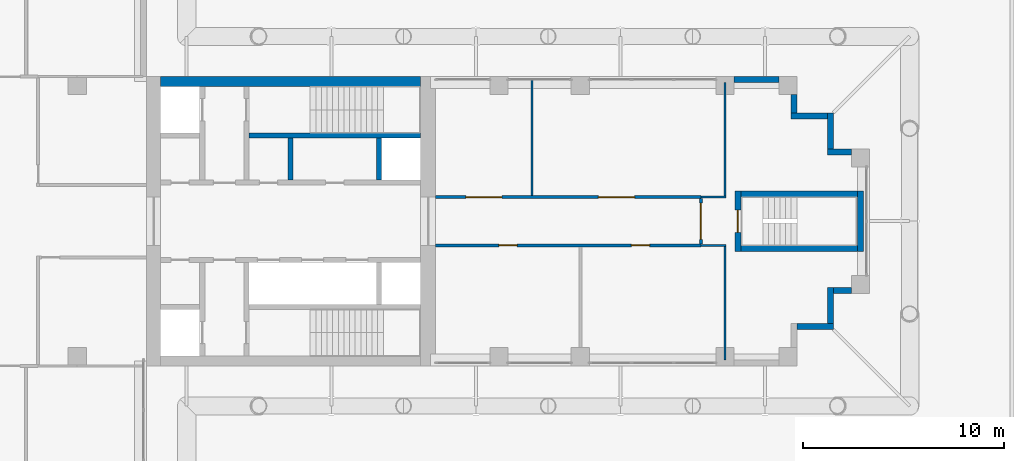
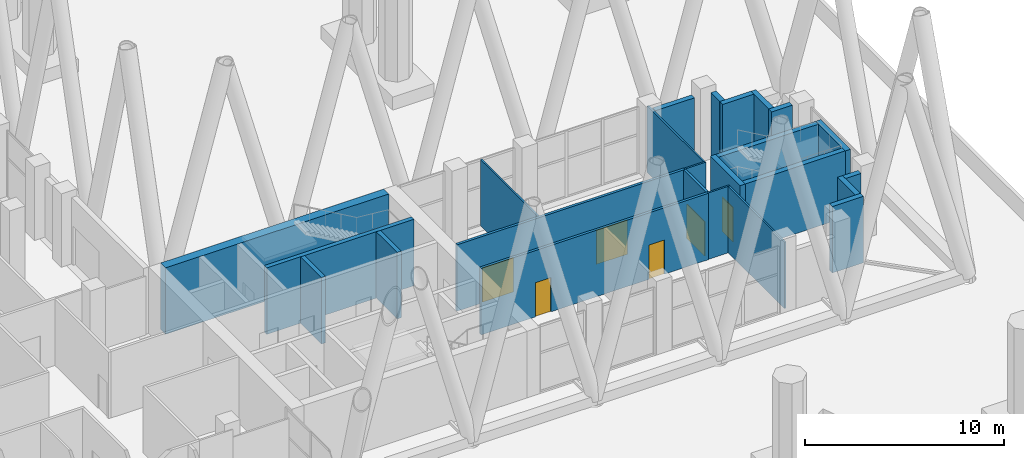
# One storey, part 23 of 31: 24 walls, 6 doors, 6 openings.
"""IFC4 building model written with IfcOpenShell, lengths in metres."""

from ifc_helpers import new_model, si_unit, direction, frame, frame_2d, origin, place, context, subcontext, project, spatial, rectangle, extrude, material, layer, layer_set, type_object, element, fill, save


model = new_model("IFC4")

# Units and contexts
model_context = context("Model", 3, precision=1e-05, world=origin(), true_north=direction((0.0, 1.0)))
body_context = subcontext(model_context, "Body", "Model", "MODEL_VIEW")
ifc_project = project(units=[si_unit("LENGTHUNIT", "METRE"), si_unit("AREAUNIT", "SQUARE_METRE"), si_unit("VOLUMEUNIT", "CUBIC_METRE"), si_unit("PLANEANGLEUNIT", "RADIAN"), si_unit("MASSUNIT", "GRAM", prefix="KILO")], contexts=[model_context])

# Site, building, storey
site_placement = place(None, origin())
site = spatial("IfcSite", under=ifc_project, at=site_placement, CompositionType="ELEMENT")
building_placement = place(site_placement, origin())
building = spatial("IfcBuilding", under=site, at=building_placement, Name="Fustian Cross Tower", CompositionType="ELEMENT")
storey_placement = place(building_placement, frame((0.0, 0.0, 7.199951171875)))
storey = spatial("IfcBuildingStorey", under=building, at=storey_placement, Name="L01", CompositionType="ELEMENT", Elevation=7.199951171875)

# Wall, openings, doors
ifc_material_1 = material(Name="Plasterboard on steel stud", Category="steel")
ifc_layer_1 = layer(ifc_material_1, 0.14990234375)
ifc_layer_set_1 = layer_set([ifc_layer_1], Name="Plasterboard on steel stud")
wall_type_1 = type_object("IfcWallType", Name="COMPARTMENT WALL 150 EI 60", PredefinedType="PARTITIONING", material=ifc_layer_set_1)
wall_1_placement = place(storey_placement, frame((21.60009765625, -1.199951171875, 0.0), z_axis=(0.0, 0.0, 1.0), x_axis=(1.0, 0.0, 0.0)))
wall_1 = element("IfcWall", 1, at=wall_1_placement, inside=storey, type_object=wall_type_1, Name="Partition 37", PredefinedType="PARTITIONING", context=body_context, shape_type="SweptSolid", body=[
    extrude(rectangle(XDim=13.199951171875, YDim=0.14990234375, at=frame_2d((6.60009765625, 0.0))), origin(), (0.0, 0.0, 1.0), 4.074951171875),
])
opening_1_placement = place(wall_1_placement, frame((3.14990234375, 0.0, 0.0)))
opening_1 = element("IfcOpeningElement", 2, at=opening_1_placement, cuts=wall_1, Name="Opening D03022", PredefinedType="OPENING", context=body_context, shape_type="SweptSolid", body=[
    extrude(rectangle(XDim=0.89990234375, YDim=2.10009765625, at=frame_2d((0.449951171875, 1.050048828125))), frame((0.0, 0.0849609375, 0.0), z_axis=(0.0, -1.0, 0.0), x_axis=(1.0, 0.0, 0.0)), (0.0, 0.0, 1.0), 0.169921875),
])
opening_2_placement = place(wall_1_placement, frame((9.75, 0.0, 0.0)))
opening_2 = element("IfcOpeningElement", 3, at=opening_2_placement, cuts=wall_1, Name="Opening D03023", PredefinedType="OPENING", context=body_context, shape_type="SweptSolid", body=[
    extrude(rectangle(XDim=0.89990234375, YDim=2.10009765625, at=frame_2d((0.449951171875, 1.050048828125))), frame((0.0, 0.0849609375, 0.0), z_axis=(0.0, -1.0, 0.0), x_axis=(1.0, 0.0, 0.0)), (0.0, 0.0, 1.0), 0.169921875),
])
ifc_material_2 = material(Name="Timber fire door set", Category="wood")
door_type_1 = type_object("IfcDoorType", Name="FIRE SWING DOOR 900 FD30S", OperationType="SINGLE_SWING_LEFT", PredefinedType="DOOR", material=ifc_material_2)
door_1_placement = place(opening_1_placement, frame((0.89990234375, 0.0, 0.0), z_axis=(0.0, 0.0, 1.0), x_axis=(-1.0, 0.0, 0.0)))
door_1 = element("IfcDoor", 4, at=door_1_placement, inside=storey, type_object=door_type_1, Name="Door D03022", OperationType="SINGLE_SWING_RIGHT", OverallHeight=2.10009765625, OverallWidth=0.89990234375, PredefinedType="DOOR", context=body_context, shape_type="SweptSolid", body=[
    extrude(rectangle(XDim=0.89990234375, YDim=2.10009765625, at=frame_2d((0.449951171875, 1.050048828125))), frame((0.0, 0.02490234375, 0.0), z_axis=(0.0, -1.0, 0.0), x_axis=(1.0, 0.0, 0.0)), (0.0, 0.0, 1.0), 0.050048828125),
])
fill(opening_1, door_1)
door_2_placement = place(opening_2_placement, frame((0.89990234375, 0.0, 0.0), z_axis=(0.0, 0.0, 1.0), x_axis=(-1.0, 0.0, 0.0)))
door_2 = element("IfcDoor", 5, at=door_2_placement, inside=storey, type_object=door_type_1, Name="Door D03023", OperationType="SINGLE_SWING_RIGHT", OverallHeight=2.10009765625, OverallWidth=0.89990234375, PredefinedType="DOOR", context=body_context, shape_type="SweptSolid", body=[
    extrude(rectangle(XDim=0.89990234375, YDim=2.10009765625, at=frame_2d((0.449951171875, 1.050048828125))), frame((0.0, 0.02490234375, 0.0), z_axis=(0.0, -1.0, 0.0), x_axis=(1.0, 0.0, 0.0)), (0.0, 0.0, 1.0), 0.050048828125),
])
fill(opening_2, door_2)

wall_2_placement = place(storey_placement, frame((21.60009765625, 1.199951171875, 0.0), z_axis=(0.0, 0.0, 1.0), x_axis=(1.0, 0.0, 0.0)))
wall_2 = element("IfcWall", 6, at=wall_2_placement, inside=storey, type_object=wall_type_1, Name="Partition 38", PredefinedType="PARTITIONING", context=body_context, shape_type="SweptSolid", body=[
    extrude(rectangle(XDim=13.199951171875, YDim=0.14990234375, at=frame_2d((6.60009765625, 0.0))), origin(), (0.0, 0.0, 1.0), 4.074951171875),
])
opening_3_placement = place(wall_2_placement, frame((1.5, 0.0, 0.0)))
opening_3 = element("IfcOpeningElement", 7, at=opening_3_placement, cuts=wall_2, Name="Opening D03020", PredefinedType="OPENING", context=body_context, shape_type="SweptSolid", body=[
    extrude(rectangle(XDim=1.800048828125, YDim=2.10009765625, at=frame_2d((0.89990234375, 1.050048828125))), frame((0.0, 0.0849609375, 0.0), z_axis=(0.0, -1.0, 0.0), x_axis=(1.0, 0.0, 0.0)), (0.0, 0.0, 1.0), 0.169921875),
])
opening_4_placement = place(wall_2_placement, frame((8.10009765625, 0.0, 0.0)))
opening_4 = element("IfcOpeningElement", 8, at=opening_4_placement, cuts=wall_2, Name="Opening D03021", PredefinedType="OPENING", context=body_context, shape_type="SweptSolid", body=[
    extrude(rectangle(XDim=1.800048828125, YDim=2.10009765625, at=frame_2d((0.89990234375, 1.050048828125))), frame((0.0, 0.0849609375, 0.0), z_axis=(0.0, -1.0, 0.0), x_axis=(1.0, 0.0, 0.0)), (0.0, 0.0, 1.0), 0.169921875),
])
ifc_material_3 = material(Name="Timber fire door set", Category="wood")
door_type_2 = type_object("IfcDoorType", Name="FIRE DOUBLE DOOR 1800 FD30S", OperationType="DOUBLE_DOOR_DOUBLE_SWING", PredefinedType="DOOR", material=ifc_material_3)
door_3_placement = place(opening_3_placement, frame((1.800048828125, 0.0, 0.0), z_axis=(0.0, 0.0, 1.0), x_axis=(-1.0, 0.0, 0.0)))
door_3 = element("IfcDoor", 9, at=door_3_placement, inside=storey, type_object=door_type_2, Name="Door D03020", OperationType="DOUBLE_DOOR_DOUBLE_SWING", OverallHeight=2.10009765625, OverallWidth=1.800048828125, PredefinedType="DOOR", context=body_context, shape_type="SweptSolid", body=[
    extrude(rectangle(XDim=1.800048828125, YDim=2.10009765625, at=frame_2d((0.89990234375, 1.050048828125))), frame((0.0, 0.02490234375, 0.0), z_axis=(0.0, -1.0, 0.0), x_axis=(1.0, 0.0, 0.0)), (0.0, 0.0, 1.0), 0.050048828125),
])
fill(opening_3, door_3)
door_4_placement = place(opening_4_placement, frame((1.800048828125, 0.0, 0.0), z_axis=(0.0, 0.0, 1.0), x_axis=(-1.0, 0.0, 0.0)))
door_4 = element("IfcDoor", 10, at=door_4_placement, inside=storey, type_object=door_type_2, Name="Door D03021", OperationType="DOUBLE_DOOR_DOUBLE_SWING", OverallHeight=2.10009765625, OverallWidth=1.800048828125, PredefinedType="DOOR", context=body_context, shape_type="SweptSolid", body=[
    extrude(rectangle(XDim=1.800048828125, YDim=2.10009765625, at=frame_2d((0.89990234375, 1.050048828125))), frame((0.0, 0.02490234375, 0.0), z_axis=(0.0, -1.0, 0.0), x_axis=(1.0, 0.0, 0.0)), (0.0, 0.0, 1.0), 0.050048828125),
])
fill(opening_4, door_4)

# Wall, opening, door
wall_3_placement = place(storey_placement, frame((34.800048828125, -1.125, 0.0), z_axis=(0.0, 0.0, 1.0), x_axis=(0.0, 1.0, 0.0)))
wall_3 = element("IfcWall", 11, at=wall_3_placement, inside=storey, type_object=wall_type_1, Name="Partition 41", PredefinedType="PARTITIONING", context=body_context, shape_type="SweptSolid", body=[
    extrude(rectangle(XDim=2.25, YDim=0.14990234375, at=frame_2d((1.125, 0.0))), origin(), (0.0, 0.0, 1.0), 4.074951171875),
])
opening_5_placement = place(wall_3_placement, frame((0.22509765625, 0.0, 0.0)))
opening_5 = element("IfcOpeningElement", 12, at=opening_5_placement, cuts=wall_3, Name="Opening D03019", PredefinedType="OPENING", context=body_context, shape_type="SweptSolid", body=[
    extrude(rectangle(XDim=1.800048828125, YDim=2.10009765625, at=frame_2d((0.89990234375, 1.050048828125))), frame((0.0, 0.0849609375, 0.0), z_axis=(0.0, -1.0, 0.0), x_axis=(1.0, 0.0, 0.0)), (0.0, 0.0, 1.0), 0.169921875),
])
door_5_placement = place(opening_5_placement, origin())
door_5 = element("IfcDoor", 13, at=door_5_placement, inside=storey, type_object=door_type_2, Name="Door D03019", OperationType="DOUBLE_DOOR_DOUBLE_SWING", OverallHeight=2.10009765625, OverallWidth=1.800048828125, PredefinedType="DOOR", context=body_context, shape_type="SweptSolid", body=[
    extrude(rectangle(XDim=1.800048828125, YDim=2.10009765625, at=frame_2d((0.89990234375, 1.050048828125))), frame((0.0, 0.02490234375, 0.0), z_axis=(0.0, -1.0, 0.0), x_axis=(1.0, 0.0, 0.0)), (0.0, 0.0, 1.0), 0.050048828125),
])
fill(opening_5, door_5)

# Walls
ifc_material_4 = material(Name="Concrete C80/95", Category="concrete")
ifc_layer_2 = layer(ifc_material_4, 0.5)
ifc_layer_set_2 = layer_set([ifc_layer_2], Name="Concrete C80/95")
wall_type_2 = type_object("IfcWallType", Name="CORE FACADE WALL 500 C80/95", PredefinedType="SHEAR", material=ifc_layer_set_2)
wall_4_placement = place(storey_placement, frame((7.89990234375, 6.949951171875, 0.0), z_axis=(0.0, 0.0, 1.0), x_axis=(1.0, 0.0, 0.0)))
element("IfcWall", 14, at=wall_4_placement, inside=storey, type_object=wall_type_2, Name="Core facade wall", PredefinedType="SHEAR", context=body_context, shape_type="SweptSolid", body=[
    extrude(rectangle(XDim=12.9501953125, YDim=0.5, at=frame_2d((6.47509765625, 0.0))), origin(), (0.0, 0.0, 1.0), 4.074951171875),
])
ifc_material_5 = material(Name="Concrete C50/60", Category="concrete")
ifc_layer_3 = layer(ifc_material_5, 0.25)
ifc_layer_set_3 = layer_set([ifc_layer_3], Name="Concrete C50/60")
wall_type_3 = type_object("IfcWallType", Name="CORE SHAFT WALL 250 C50/60", PredefinedType="SHEAR", material=ifc_layer_set_3)
wall_5_placement = place(storey_placement, frame((12.300048828125, 4.27490234375, 0.0), z_axis=(0.0, 0.0, 1.0), x_axis=(1.0, 0.0, 0.0)))
element("IfcWall", 15, at=wall_5_placement, inside=storey, type_object=wall_type_3, Name="Core shaft wall", PredefinedType="SHEAR", context=body_context, shape_type="SweptSolid", body=[
    extrude(rectangle(XDim=8.550048828125, YDim=0.25, at=frame_2d((4.27490234375, 0.0))), origin(), (0.0, 0.0, 1.0), 4.074951171875),
])
ifc_material_6 = material(Name="Dark rainscreen cladding on blockwork", Category="masonry")
ifc_layer_4 = layer(ifc_material_6, 0.300048828125)
ifc_layer_set_4 = layer_set([ifc_layer_4], Name="Dark rainscreen cladding on blockwork")
wall_type_4 = type_object("IfcWallType", Name="EXTERNAL WALL 300 CLADDING", PredefinedType="SOLIDWALL", material=ifc_layer_set_4)
wall_6_placement = place(storey_placement, frame((39.60009765625, -5.25, 0.0), z_axis=(0.0, 0.0, 1.0), x_axis=(1.0, 0.0, 0.0)))
element("IfcWall", 16, at=wall_6_placement, inside=storey, type_object=wall_type_4, Name="Garden-level wall E030", PredefinedType="SOLIDWALL", context=body_context, shape_type="SweptSolid", body=[
    extrude(rectangle(XDim=1.7998046875, YDim=0.300048828125, at=frame_2d((0.89990234375, 0.0))), origin(), (0.0, 0.0, 1.0), 4.074951171875),
])
wall_7_placement = place(storey_placement, frame((41.25, -5.10009765625, 0.0), z_axis=(0.0, 0.0, 1.0), x_axis=(0.0, 1.0, 0.0)))
element("IfcWall", 17, at=wall_7_placement, inside=storey, type_object=wall_type_4, Name="Garden-level wall E040", PredefinedType="SOLIDWALL", context=body_context, shape_type="SweptSolid", body=[
    extrude(rectangle(XDim=1.800048828125, YDim=0.300048828125, at=frame_2d((0.89990234375, 0.0))), origin(), (0.0, 0.0, 1.0), 4.074951171875),
])
wall_8_placement = place(storey_placement, frame((41.39990234375, -3.449951171875, 0.0), z_axis=(0.0, 0.0, 1.0), x_axis=(1.0, 0.0, 0.0)))
element("IfcWall", 18, at=wall_8_placement, inside=storey, type_object=wall_type_4, Name="Garden-level wall E050", PredefinedType="SOLIDWALL", context=body_context, shape_type="SweptSolid", body=[
    extrude(rectangle(XDim=0.900146484375, YDim=0.300048828125, at=frame_2d((0.4501953125, 0.0))), origin(), (0.0, 0.0, 1.0), 4.074951171875),
])
wall_9_placement = place(storey_placement, frame((42.300048828125, 3.449951171875, 0.0), z_axis=(0.0, 0.0, 1.0), x_axis=(-1.0, 0.0, 0.0)))
element("IfcWall", 19, at=wall_9_placement, inside=storey, type_object=wall_type_4, Name="Garden-level wall E070", PredefinedType="SOLIDWALL", context=body_context, shape_type="SweptSolid", body=[
    extrude(rectangle(XDim=1.199951171875, YDim=0.300048828125, at=frame_2d((0.60009765625, 0.0))), origin(), (0.0, 0.0, 1.0), 4.074951171875),
])
wall_10_placement = place(storey_placement, frame((41.25, 3.60009765625, 0.0), z_axis=(0.0, 0.0, 1.0), x_axis=(0.0, 1.0, 0.0)))
element("IfcWall", 20, at=wall_10_placement, inside=storey, type_object=wall_type_4, Name="Garden-level wall E080", PredefinedType="SOLIDWALL", context=body_context, shape_type="SweptSolid", body=[
    extrude(rectangle(XDim=1.7998046875, YDim=0.300048828125, at=frame_2d((0.89990234375, 0.0))), origin(), (0.0, 0.0, 1.0), 4.074951171875),
])
wall_11_placement = place(storey_placement, frame((41.10009765625, 5.25, 0.0), z_axis=(0.0, 0.0, 1.0), x_axis=(-1.0, 0.0, 0.0)))
element("IfcWall", 21, at=wall_11_placement, inside=storey, type_object=wall_type_4, Name="Garden-level wall E090", PredefinedType="SOLIDWALL", context=body_context, shape_type="SweptSolid", body=[
    extrude(rectangle(XDim=1.800048828125, YDim=0.300048828125, at=frame_2d((0.89990234375, 0.0))), origin(), (0.0, 0.0, 1.0), 4.074951171875),
])
wall_12_placement = place(storey_placement, frame((39.449951171875, 5.39990234375, 0.0), z_axis=(0.0, 0.0, 1.0), x_axis=(0.0, 1.0, 0.0)))
element("IfcWall", 22, at=wall_12_placement, inside=storey, type_object=wall_type_4, Name="Garden-level wall E100", PredefinedType="SOLIDWALL", context=body_context, shape_type="SweptSolid", body=[
    extrude(rectangle(XDim=0.900146484375, YDim=0.300048828125, at=frame_2d((0.4501953125, 0.0))), origin(), (0.0, 0.0, 1.0), 4.074951171875),
])
wall_13_placement = place(storey_placement, frame((38.699951171875, 7.050048828125, 0.0), z_axis=(0.0, 0.0, 1.0), x_axis=(-1.0, 0.0, 0.0)))
element("IfcWall", 23, at=wall_13_placement, inside=storey, type_object=wall_type_4, Name="Garden-level wall E110", PredefinedType="SOLIDWALL", context=body_context, shape_type="SweptSolid", body=[
    extrude(rectangle(XDim=2.25, YDim=0.300048828125, at=frame_2d((1.125, 0.0))), origin(), (0.0, 0.0, 1.0), 3.60009765625),
])
ifc_material_7 = material(Name="Plasterboard on steel stud", Category="steel")
ifc_layer_5 = layer(ifc_material_7, 0.10009765625)
ifc_layer_set_5 = layer_set([ifc_layer_5], Name="Plasterboard on steel stud")
wall_type_5 = type_object("IfcWallType", Name="PARTITION 100 STUD", PredefinedType="PARTITIONING", material=ifc_layer_set_5)
wall_14_placement = place(storey_placement, frame((26.39990234375, 1.27490234375, 0.0), z_axis=(0.0, 0.0, 1.0), x_axis=(0.0, 1.0, 0.0)))
element("IfcWall", 24, at=wall_14_placement, inside=storey, type_object=wall_type_5, Name="Partition 39", PredefinedType="PARTITIONING", context=body_context, shape_type="SweptSolid", body=[
    extrude(rectangle(XDim=5.7451171875, YDim=0.10009765625, at=frame_2d((2.87255859375, 0.0))), origin(), (0.0, 0.0, 1.0), 4.074951171875),
])
for number, where, z_axis, x_axis, name in (
    (25, (34.800048828125, -1.199951171875, 0.0), (0.0, 0.0, 1.0), (1.0, 0.0, 0.0), "Partition 42"),
    (26, (34.800048828125, 1.199951171875, 0.0), (0.0, 0.0, 1.0), (1.0, 0.0, 0.0), "Partition 43"),
):
    element("IfcWall", number, at=place(storey_placement, frame(where, z_axis=z_axis, x_axis=x_axis)), inside=storey, type_object=wall_type_5, Name=name, PredefinedType="PARTITIONING", context=body_context, shape_type="SweptSolid", body=[
        extrude(rectangle(XDim=1.25, YDim=0.10009765625, at=frame_2d((0.625, 0.0))), origin(), (0.0, 0.0, 1.0), 4.074951171875),
    ])
for number, where, z_axis, x_axis, name in (
    (27, (36.0, -6.89990234375, 0.0), (0.0, 0.0, 1.0), (0.0, 1.0, 0.0), "Partition 44"),
    (28, (36.0, 1.25, 0.0), (0.0, 0.0, 1.0), (0.0, 1.0, 0.0), "Partition 45"),
):
    element("IfcWall", number, at=place(storey_placement, frame(where, z_axis=z_axis, x_axis=x_axis)), inside=storey, type_object=wall_type_5, Name=name, PredefinedType="PARTITIONING", context=body_context, shape_type="SweptSolid", body=[
        extrude(rectangle(XDim=5.64990234375, YDim=0.10009765625, at=frame_2d((2.824951171875, 0.0))), origin(), (0.0, 0.0, 1.0), 4.074951171875),
    ])
ifc_material_8 = material(Name="Concrete C40/50", Category="concrete")
ifc_layer_6 = layer(ifc_material_8, 0.25)
ifc_layer_set_6 = layer_set([ifc_layer_6], Name="Concrete C40/50")
wall_type_6 = type_object("IfcWallType", Name="SHAFT PARTITION WALL 250 C40/50", PredefinedType="PARTITIONING", material=ifc_layer_set_6)
for number, where, z_axis, x_axis, name in (
    (29, (14.375, 2.050048828125, 0.0), (0.0, 0.0, 1.0), (0.0, 1.0, 0.0), "Core shaft wall"),
    (30, (18.77490234375, 2.050048828125, 0.0), (0.0, 0.0, 1.0), (0.0, 1.0, 0.0), "Core shaft wall"),
):
    element("IfcWall", number, at=place(storey_placement, frame(where, z_axis=z_axis, x_axis=x_axis)), inside=storey, type_object=wall_type_6, Name=name, PredefinedType="PARTITIONING", context=body_context, shape_type="SweptSolid", body=[
        extrude(rectangle(XDim=2.099853515625, YDim=0.25, at=frame_2d((1.0498046875, 0.0))), origin(), (0.0, 0.0, 1.0), 4.074951171875),
    ])

# Wall, opening, door
ifc_material_9 = material(Name="Concrete C50/60", Category="concrete")
ifc_layer_7 = layer(ifc_material_9, 0.300048828125)
ifc_layer_set_7 = layer_set([ifc_layer_7], Name="Concrete C50/60")
wall_type_7 = type_object("IfcWallType", Name="STAIR ENCLOSURE WALL 300 C50/60", PredefinedType="SHEAR", material=ifc_layer_set_7)
wall_15_placement = place(storey_placement, frame((36.64990234375, -1.5, 0.0), z_axis=(0.0, 0.0, 1.0), x_axis=(0.0, 1.0, 0.0)))
wall_15 = element("IfcWall", 31, at=wall_15_placement, inside=storey, type_object=wall_type_7, Name="Stair enclosure wall", PredefinedType="SHEAR", context=body_context, shape_type="SweptSolid", body=[
    extrude(rectangle(XDim=3.0, YDim=0.300048828125, at=frame_2d((1.5, 0.0))), origin(), (0.0, 0.0, 1.0), 4.074951171875),
])
opening_6_placement = place(wall_15_placement, frame((0.949951171875, 0.0, 0.0)))
opening_6 = element("IfcOpeningElement", 32, at=opening_6_placement, cuts=wall_15, Name="Opening CD-03-33", PredefinedType="OPENING", context=body_context, shape_type="SweptSolid", body=[
    extrude(rectangle(XDim=1.10009765625, YDim=2.10009765625, at=frame_2d((0.550048828125, 1.050048828125))), frame((0.0, 0.159912109375, 0.0), z_axis=(0.0, -1.0, 0.0), x_axis=(1.0, 0.0, 0.0)), (0.0, 0.0, 1.0), 0.320068359375),
])
ifc_material_10 = material(Name="Steel", Category="steel")
door_type_3 = type_object("IfcDoorType", Name="FIRE DOOR FD60S 1100X2100", OperationType="SINGLE_SWING_LEFT", PredefinedType="DOOR", material=ifc_material_10)
door_6_placement = place(opening_6_placement, frame((1.10009765625, 0.0, 0.0), z_axis=(0.0, 0.0, 1.0), x_axis=(-1.0, 0.0, 0.0)))
door_6 = element("IfcDoor", 33, at=door_6_placement, inside=storey, type_object=door_type_3, Name="Core door CD-03-33", OperationType="SINGLE_SWING_RIGHT", OverallHeight=2.10009765625, OverallWidth=1.10009765625, PredefinedType="DOOR", context=body_context, shape_type="SweptSolid", body=[
    extrude(rectangle(XDim=1.10009765625, YDim=2.10009765625, at=frame_2d((0.550048828125, 1.050048828125))), frame((0.0, 0.02490234375, 0.0), z_axis=(0.0, -1.0, 0.0), x_axis=(1.0, 0.0, 0.0)), (0.0, 0.0, 1.0), 0.050048828125),
])
fill(opening_6, door_6)

# Walls
wall_16_placement = place(storey_placement, frame((42.75, -1.5, 0.0), z_axis=(0.0, 0.0, 1.0), x_axis=(0.0, 1.0, 0.0)))
element("IfcWall", 34, at=wall_16_placement, inside=storey, type_object=wall_type_7, Name="Stair enclosure wall", PredefinedType="SHEAR", context=body_context, shape_type="SweptSolid", body=[
    extrude(rectangle(XDim=3.0, YDim=0.300048828125, at=frame_2d((1.5, 0.0))), origin(), (0.0, 0.0, 1.0), 4.074951171875),
])
for number, where, z_axis, x_axis, name in (
    (35, (36.800048828125, -1.35009765625, 0.0), (0.0, 0.0, 1.0), (1.0, 0.0, 0.0), "Stair enclosure wall"),
    (36, (36.800048828125, 1.35009765625, 0.0), (0.0, 0.0, 1.0), (1.0, 0.0, 0.0), "Stair enclosure wall"),
):
    element("IfcWall", number, at=place(storey_placement, frame(where, z_axis=z_axis, x_axis=x_axis)), inside=storey, type_object=wall_type_7, Name=name, PredefinedType="SHEAR", context=body_context, shape_type="SweptSolid", body=[
        extrude(rectangle(XDim=5.800048828125, YDim=0.300048828125, at=frame_2d((2.89990234375, 0.0))), origin(), (0.0, 0.0, 1.0), 4.074951171875),
    ])

save(model, "model.ifc")
